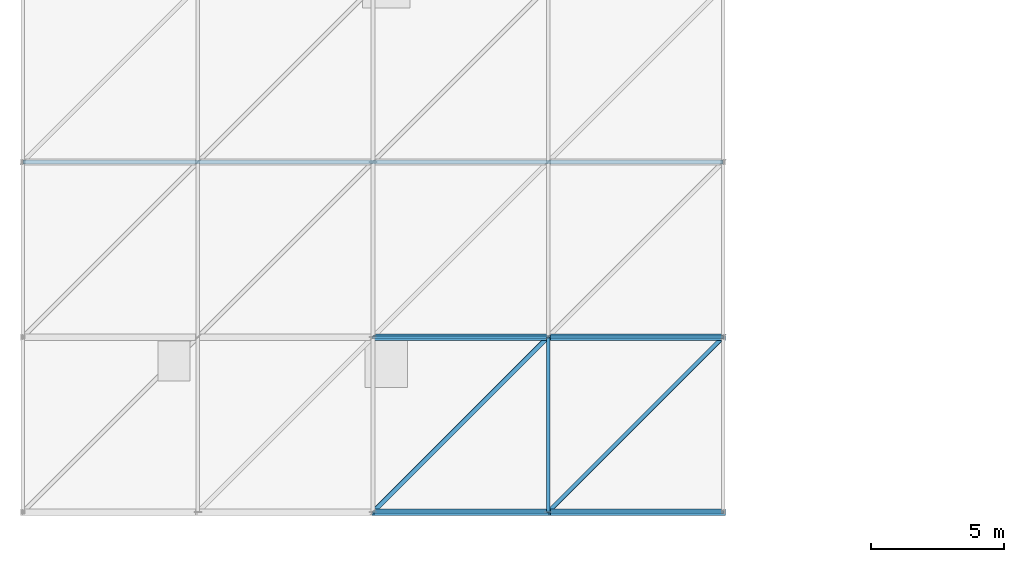
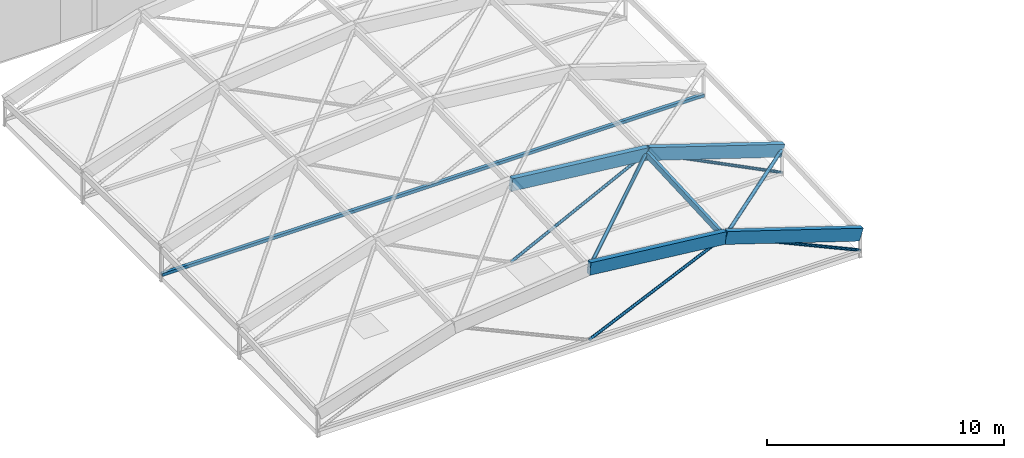
# One storey, part 24 of 157: 12 members.
"""IFC4 building model written with IfcOpenShell, lengths in metres."""

from ifc_helpers import new_model, si_unit, direction, frame, origin, origin_2d, place, context, subcontext, project, spatial, rectangle, hollow_rectangle, hollow_circle, extrude, material, material_profile, profile_set, type_object, element, save


model = new_model("IFC4")

# Units and contexts
model_context = context("Model", 3, precision=1e-05, world=origin(), true_north=direction((0.0, 1.0)))
body_context = subcontext(model_context, "Body", "Model", "MODEL_VIEW")
ifc_project = project(units=[si_unit("LENGTHUNIT", "METRE"), si_unit("AREAUNIT", "SQUARE_METRE"), si_unit("VOLUMEUNIT", "CUBIC_METRE"), si_unit("PLANEANGLEUNIT", "RADIAN"), si_unit("MASSUNIT", "GRAM", prefix="KILO")], contexts=[model_context])

# Site, building, storey
site_placement = place(None, origin())
site = spatial("IfcSite", under=ifc_project, at=site_placement, CompositionType="ELEMENT")
building_placement = place(site_placement, origin())
building = spatial("IfcBuilding", under=site, at=building_placement, Name="Karori Crest Natural Sciences Institute", CompositionType="ELEMENT")
storey_placement = place(building_placement, frame((0.0, 0.0, 13.300048828125)))
storey = spatial("IfcBuildingStorey", under=building, at=storey_placement, Name="L03", CompositionType="ELEMENT", Elevation=13.300048828125)

# Members
ifc_material_1 = material(Name="Hollow structural steel AS/NZS 1163 Grade C350", Category="steel")
ifc_material_profile_1 = material_profile(ifc_material_1, hollow_circle(Radius=0.084228515625, WallThickness=0.007080078125, at=origin_2d()), Name="CHS168.3x7.1")
ifc_profile_set_1 = profile_set([ifc_material_profile_1], Name="Hollow structural steel AS/NZS 1163 Grade C350")
member_type_1 = type_object("IfcMemberType", Name="MT-03", PredefinedType="BRACE", material=ifc_profile_set_1)
member_1_placement = place(storey_placement, frame((14.0, 0.800048828125, 3.820068359375), z_axis=(0.706489004165, 0.706462870815, -0.042231494811), x_axis=(-0.707093702722, 0.707119859409, 0.0)))
element("IfcMember", 1, at=member_1_placement, inside=storey, type_object=member_type_1, Name="Diagonal Brace M-0274", PredefinedType="BRACE", context=body_context, shape_type="SweptSolid", body=[
    extrude(hollow_circle(Radius=0.084228515625, WallThickness=0.007080078125, at=origin_2d()), origin(), (0.0, 0.0, 1.0), 9.342041015625),
])
member_2_placement = place(storey_placement, frame((20.60009765625, 0.800048828125, 3.107421875), z_axis=(0.694044564778, 0.694044564778, -0.191322461315), x_axis=(-0.707106781187, 0.707106781187, 0.0)))
element("IfcMember", 2, at=member_2_placement, inside=storey, type_object=member_type_1, Name="Diagonal Brace M-0279", PredefinedType="BRACE", context=body_context, shape_type="SweptSolid", body=[
    extrude(hollow_circle(Radius=0.084228515625, WallThickness=0.007080078125, at=origin_2d()), origin(), (0.0, 0.0, 1.0), 9.50927734375),
])
ifc_material_2 = material(Name="Glulam GL12", Category="wood")
ifc_material_profile_2 = material_profile(ifc_material_2, rectangle(XDim=0.135009765625, YDim=0.31494140625, at=origin_2d()), Name="GL135x315")
ifc_profile_set_2 = profile_set([ifc_material_profile_2], Name="Glulam GL12")
member_type_2 = type_object("IfcMemberType", Name="MT-12", PredefinedType="PURLIN", material=ifc_profile_set_2)
member_3_placement = place(storey_placement, frame((20.60009765625, 0.800048828125, 3.107421875), z_axis=(0.0, 0.998840383429, 0.048144453801), x_axis=(-1.0, 0.0, 0.0)))
element("IfcMember", 3, at=member_3_placement, inside=storey, type_object=member_type_2, Name="Member M-0277", PredefinedType="PURLIN", context=body_context, shape_type="SweptSolid", body=[
    extrude(rectangle(XDim=0.135009765625, YDim=0.31494140625, at=origin_2d()), origin(), (0.0, 0.0, 1.0), 6.607421875),
])
ifc_material_profile_3 = material_profile(ifc_material_1, hollow_rectangle(XDim=0.14990234375, YDim=0.14990234375, WallThickness=0.009033203125, at=origin_2d()), Name="SHS150x150x9")
ifc_profile_set_3 = profile_set([ifc_material_profile_3], Name="Hollow structural steel AS/NZS 1163 Grade C350")
member_type_3 = type_object("IfcMemberType", Name="MT-13-IL", PredefinedType="CHORD", material=ifc_profile_set_3)
member_4_placement = place(storey_placement, frame((0.800048828125, 14.0, 0.119873046875), z_axis=(1.0, 0.0, 0.0), x_axis=(0.0, 1.0, 0.0)))
element("IfcMember", 4, at=member_4_placement, inside=storey, type_object=member_type_3, Name="Member M-0302", PredefinedType="CHORD", context=body_context, shape_type="SweptSolid", body=[
    extrude(hollow_rectangle(XDim=0.14990234375, YDim=0.14990234375, WallThickness=0.009033203125, at=origin_2d()), origin(), (0.0, 0.0, 1.0), 26.39990234375),
])
ifc_material_profile_4 = material_profile(ifc_material_2, rectangle(XDim=0.239990234375, YDim=0.6298828125, at=origin_2d()), Name="GL240x630")
ifc_profile_set_4 = profile_set([ifc_material_profile_4], Name="Glulam GL12")
member_type_4 = type_object("IfcMemberType", Name="MT-15", PredefinedType="USERDEFINED", material=ifc_profile_set_4)
member_5_placement = place(storey_placement, frame((14.0, 0.800048828125, 3.83984375), z_axis=(0.994225090035, 0.0, -0.107314818847), x_axis=(0.0, 1.0, 0.0)))
element("IfcMember", 5, at=member_5_placement, inside=storey, type_object=member_type_4, Name="Member M-0271", ObjectType="ARCH_SEGMENT", PredefinedType="USERDEFINED", context=body_context, shape_type="SweptSolid", body=[
    extrude(rectangle(XDim=0.239990234375, YDim=0.6298828125, at=origin_2d()), origin(), (0.0, 0.0, 1.0), 6.638427734375),
])
member_6_placement = place(storey_placement, frame((20.60009765625, 0.800048828125, 3.12744140625), z_axis=(0.951351409962, 0.0, -0.308107927134), x_axis=(0.0, 1.0, 0.0)))
element("IfcMember", 6, at=member_6_placement, inside=storey, type_object=member_type_4, Name="Member M-0275", ObjectType="ARCH_SEGMENT", PredefinedType="USERDEFINED", context=body_context, shape_type="SweptSolid", body=[
    extrude(rectangle(XDim=0.239990234375, YDim=0.6298828125, at=origin_2d()), origin(), (0.0, 0.0, 1.0), 6.937255859375),
])
member_7_placement = place(storey_placement, frame((14.0, 7.39990234375, 4.158203125), z_axis=(0.994221165478, 0.0, -0.107351171933), x_axis=(0.0, 1.0, 0.0)))
element("IfcMember", 7, at=member_7_placement, inside=storey, type_object=member_type_4, Name="Member M-0291", ObjectType="ARCH_SEGMENT", PredefinedType="USERDEFINED", context=body_context, shape_type="SweptSolid", body=[
    extrude(rectangle(XDim=0.239990234375, YDim=0.6298828125, at=origin_2d()), origin(), (0.0, 0.0, 1.0), 6.638427734375),
])
member_8_placement = place(storey_placement, frame((20.60009765625, 7.39990234375, 3.445556640625), z_axis=(0.951351409962, 0.0, -0.308107927134), x_axis=(0.0, 1.0, 0.0)))
element("IfcMember", 8, at=member_8_placement, inside=storey, type_object=member_type_4, Name="Member M-0295", ObjectType="ARCH_SEGMENT", PredefinedType="USERDEFINED", context=body_context, shape_type="SweptSolid", body=[
    extrude(rectangle(XDim=0.239990234375, YDim=0.6298828125, at=origin_2d()), origin(), (0.0, 0.0, 1.0), 6.937255859375),
])
ifc_material_profile_5 = material_profile(ifc_material_1, hollow_circle(Radius=0.06982421875, WallThickness=0.00634765625, at=origin_2d()), Name="CHS139.7x6.4")
ifc_profile_set_5 = profile_set([ifc_material_profile_5], Name="Hollow structural steel AS/NZS 1163 Grade C350")
member_type_5 = type_object("IfcMemberType", Name="MT-18-IL", PredefinedType="STRUT", material=ifc_profile_set_5)
for number, where, z_axis, x_axis, name in (
    (9, (14.0, 0.800048828125, 0.119873046875), (0.909975288088, 0.0, 0.414662483316), (0.0, 1.0, 0.0), "Member M-0272"),
    (10, (27.199951171875, 0.800048828125, 0.119873046875), (-0.909969500085, 0.0, 0.414675184831), (0.0, -1.0, 0.0), "Member M-0276"),
):
    element("IfcMember", number, at=place(storey_placement, frame(where, z_axis=z_axis, x_axis=x_axis)), inside=storey, type_object=member_type_5, Name=name, PredefinedType="STRUT", context=body_context, shape_type="SweptSolid", body=[
        extrude(hollow_circle(Radius=0.06982421875, WallThickness=0.00634765625, at=origin_2d()), origin(), (0.0, 0.0, 1.0), 7.2529296875),
    ])
member_9_placement = place(storey_placement, frame((14.0, 7.39990234375, 0.119873046875), z_axis=(0.893035467548, 0.0, 0.44998628168), x_axis=(0.0, 1.0, 0.0)))
element("IfcMember", 11, at=member_9_placement, inside=storey, type_object=member_type_5, Name="Member M-0292", PredefinedType="STRUT", context=body_context, shape_type="SweptSolid", body=[
    extrude(hollow_circle(Radius=0.06982421875, WallThickness=0.00634765625, at=origin_2d()), origin(), (0.0, 0.0, 1.0), 7.390625),
])
member_10_placement = place(storey_placement, frame((27.199951171875, 7.39990234375, 0.119873046875), z_axis=(-0.893028778318, 0.0, 0.449999556773), x_axis=(0.0, -1.0, 0.0)))
element("IfcMember", 12, at=member_10_placement, inside=storey, type_object=member_type_5, Name="Member M-0296", PredefinedType="STRUT", context=body_context, shape_type="SweptSolid", body=[
    extrude(hollow_circle(Radius=0.06982421875, WallThickness=0.00634765625, at=origin_2d()), origin(), (0.0, 0.0, 1.0), 7.390380859375),
])

save(model, "model.ifc")
